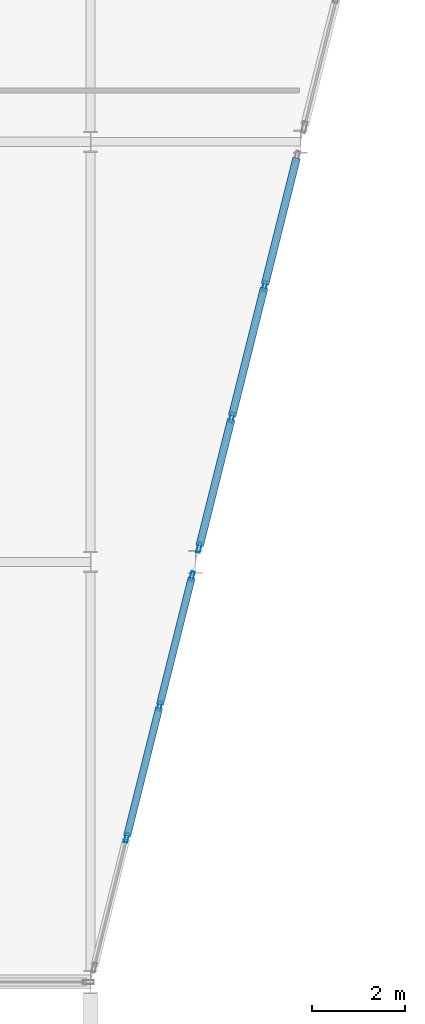
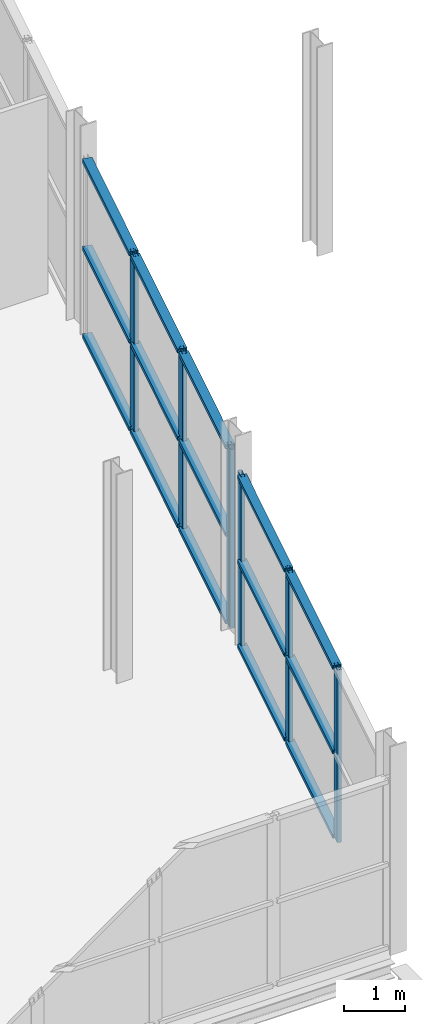
# One storey, part 53 of 140: 21 members, 2 elements without a shape of their own.
"""IFC4 building model written with IfcOpenShell, lengths in metres."""

from ifc_helpers import new_model, si_unit, direction, frame, origin, origin_2d, place, context, subcontext, project, spatial, hollow_rectangle, extrude, material, layer, layer_set, material_profile, profile_set, type_object, element, aggregate, save


model = new_model("IFC4")

# Units and contexts
model_context = context("Model", 3, precision=1e-05, world=origin(), true_north=direction((0.0, 1.0)))
body_context = subcontext(model_context, "Body", "Model", "MODEL_VIEW")
ifc_project = project(units=[si_unit("LENGTHUNIT", "METRE"), si_unit("AREAUNIT", "SQUARE_METRE"), si_unit("VOLUMEUNIT", "CUBIC_METRE"), si_unit("PLANEANGLEUNIT", "RADIAN"), si_unit("MASSUNIT", "GRAM", prefix="KILO")], contexts=[model_context])

# Site, building, storey
site_placement = place(None, origin())
site = spatial("IfcSite", under=ifc_project, at=site_placement, CompositionType="ELEMENT")
building_placement = place(site_placement, origin())
building = spatial("IfcBuilding", under=site, at=building_placement, Name="Deido Ridge Mobility Hub", CompositionType="ELEMENT")
storey_placement = place(building_placement, origin())
storey = spatial("IfcBuildingStorey", under=building, at=storey_placement, Name="L00", CompositionType="ELEMENT", Elevation=0.0)

# Curtain wall, members
ifc_material = material(Name="Anodised aluminium EN AW-6063 T6", Category="aluminium")
ifc_layer_1 = layer(ifc_material, 0.22509765625, Name="Anodised aluminium EN AW-6063 T6")
ifc_layer_set_1 = layer_set([ifc_layer_1], Name="Anodised aluminium EN AW-6063 T6")
curtain_wall_type_1 = type_object("IfcCurtainWallType", Name="CW-UF-5", PredefinedType="USERDEFINED", material=ifc_layer_set_1)
curtain_wall_1_placement = place(storey_placement, origin())
curtain_wall_1 = element("IfcCurtainWall", 1, at=curtain_wall_1_placement, inside=storey, type_object=curtain_wall_type_1, Name="Unitised curtain wall CW5", ObjectType="UNITISED FACADE", PredefinedType="USERDEFINED")
ifc_material_profile_1 = material_profile(ifc_material, hollow_rectangle(XDim=0.074951171875, YDim=0.205078125, WallThickness=0.00390625, at=origin_2d()), Name="RHS 75x205x4")
ifc_profile_set_1 = profile_set([ifc_material_profile_1], Name="Anodised aluminium EN AW-6063 T6")
member_type_1 = type_object("IfcMemberType", Name="MEM-MUL-75X205", PredefinedType="MULLION", material=ifc_profile_set_1)
member_1_placement = place(storey_placement, frame((45.7724609375, 48.090087890625, 0.0), z_axis=(0.0, 0.0, 1.0), x_axis=(-0.970139801497, 0.242546419373, 0.0)))
member_1 = element("IfcMember", 2, at=member_1_placement, type_object=member_type_1, Name="CW5 mullion 2", PredefinedType="MULLION", context=body_context, shape_type="SweptSolid", body=[
    extrude(hollow_rectangle(XDim=0.074951171875, YDim=0.205078125, WallThickness=0.00390625, at=origin_2d()), origin(), (0.0, 0.0, 1.0), 3.47509765625),
])
member_2_placement = place(storey_placement, frame((46.4775390625, 50.909912109375, 0.0), z_axis=(0.0, 0.0, 1.0), x_axis=(-0.970139801497, 0.242546419373, 0.0)))
member_2 = element("IfcMember", 3, at=member_2_placement, type_object=member_type_1, Name="CW5 mullion 3", PredefinedType="MULLION", context=body_context, shape_type="SweptSolid", body=[
    extrude(hollow_rectangle(XDim=0.074951171875, YDim=0.205078125, WallThickness=0.00390625, at=origin_2d()), origin(), (0.0, 0.0, 1.0), 3.47509765625),
])
member_3_placement = place(storey_placement, frame((47.17333984375, 53.693115234375, 0.0), z_axis=(0.0, 0.0, 1.0), x_axis=(-0.970139801497, 0.242546419373, 0.0)))
member_3 = element("IfcMember", 4, at=member_3_placement, type_object=member_type_1, Name="CW5 mullion 4", PredefinedType="MULLION", context=body_context, shape_type="SweptSolid", body=[
    extrude(hollow_rectangle(XDim=0.074951171875, YDim=0.205078125, WallThickness=0.00390625, at=origin_2d()), origin(), (0.0, 0.0, 1.0), 3.47509765625),
])

ifc_layer_2 = layer(ifc_material, 0.239990234375, Name="Anodised aluminium EN AW-6063 T6")
ifc_layer_set_2 = layer_set([ifc_layer_2], Name="Anodised aluminium EN AW-6063 T6")
curtain_wall_type_2 = type_object("IfcCurtainWallType", Name="CW-UF-6", PredefinedType="USERDEFINED", material=ifc_layer_set_2)
curtain_wall_2_placement = place(storey_placement, origin())
curtain_wall_2 = element("IfcCurtainWall", 5, at=curtain_wall_2_placement, inside=storey, type_object=curtain_wall_type_2, Name="Unitised curtain wall CW6", ObjectType="UNITISED FACADE", PredefinedType="USERDEFINED")
ifc_material_profile_2 = material_profile(ifc_material, hollow_rectangle(XDim=0.080078125, YDim=0.219970703125, WallThickness=0.00390625, at=origin_2d()), Name="RHS 80x220x4")
ifc_profile_set_2 = profile_set([ifc_material_profile_2], Name="Anodised aluminium EN AW-6063 T6")
member_type_2 = type_object("IfcMemberType", Name="MEM-MUL-80X220", PredefinedType="MULLION", material=ifc_profile_set_2)
member_4_placement = place(storey_placement, frame((47.327392578125, 54.309326171875, 0.0), z_axis=(0.0, 0.0, 1.0), x_axis=(-0.970139801497, 0.242546419373, 0.0)))
member_4 = element("IfcMember", 6, at=member_4_placement, type_object=member_type_2, Name="CW6 mullion 1", PredefinedType="MULLION", context=body_context, shape_type="SweptSolid", body=[
    extrude(hollow_rectangle(XDim=0.080078125, YDim=0.219970703125, WallThickness=0.00390625, at=origin_2d()), origin(), (0.0, 0.0, 1.0), 3.60009765625),
])
member_5_placement = place(storey_placement, frame((48.0224609375, 57.090087890625, 0.0), z_axis=(0.0, 0.0, 1.0), x_axis=(-0.970139801497, 0.242546419373, 0.0)))
member_5 = element("IfcMember", 7, at=member_5_placement, type_object=member_type_2, Name="CW6 mullion 2", PredefinedType="MULLION", context=body_context, shape_type="SweptSolid", body=[
    extrude(hollow_rectangle(XDim=0.080078125, YDim=0.219970703125, WallThickness=0.00390625, at=origin_2d()), origin(), (0.0, 0.0, 1.0), 3.60009765625),
])
member_6_placement = place(storey_placement, frame((48.7275390625, 59.909912109375, 0.0), z_axis=(0.0, 0.0, 1.0), x_axis=(-0.970139801497, 0.242546419373, 0.0)))
member_6 = element("IfcMember", 8, at=member_6_placement, type_object=member_type_2, Name="CW6 mullion 3", PredefinedType="MULLION", context=body_context, shape_type="SweptSolid", body=[
    extrude(hollow_rectangle(XDim=0.080078125, YDim=0.219970703125, WallThickness=0.00390625, at=origin_2d()), origin(), (0.0, 0.0, 1.0), 3.60009765625),
])

# Member
ifc_material_profile_3 = material_profile(ifc_material, hollow_rectangle(XDim=0.155029296875, YDim=0.074951171875, WallThickness=0.00390625, at=origin_2d()), Name="RHS 155x75x4")
ifc_profile_set_3 = profile_set([ifc_material_profile_3], Name="Anodised aluminium EN AW-6063 T6")
member_type_3 = type_object("IfcMemberType", Name="MEM-TRN-155X75", PredefinedType="USERDEFINED", material=ifc_profile_set_3)
member_7_placement = place(storey_placement, frame((45.78173828125, 48.12646484375, 0.03759765625), z_axis=(0.242454474669, 0.970162784131, 0.0), x_axis=(-0.970162784131, 0.242454474669, 0.0)))
member_7 = element("IfcMember", 9, at=member_7_placement, type_object=member_type_3, Name="CW5 transom 2.1", ObjectType="TRANSOM", PredefinedType="USERDEFINED", context=body_context, shape_type="SweptSolid", body=[
    extrude(hollow_rectangle(XDim=0.155029296875, YDim=0.074951171875, WallThickness=0.00390625, at=origin_2d()), origin(), (0.0, 0.0, 1.0), 2.83154296875),
])

member_8_placement = place(storey_placement, frame((45.78173828125, 48.12646484375, 1.737548828125), z_axis=(0.242454474669, 0.970162784131, 0.0), x_axis=(-0.970162784131, 0.242454474669, 0.0)))
member_8 = element("IfcMember", 10, at=member_8_placement, type_object=member_type_3, Name="CW5 transom 2.2", ObjectType="TRANSOM", PredefinedType="USERDEFINED", context=body_context, shape_type="SweptSolid", body=[
    extrude(hollow_rectangle(XDim=0.155029296875, YDim=0.074951171875, WallThickness=0.00390625, at=origin_2d()), origin(), (0.0, 0.0, 1.0), 2.83154296875),
])

member_9_placement = place(storey_placement, frame((45.78173828125, 48.12646484375, 3.4375), z_axis=(0.242454474669, 0.970162784131, 0.0), x_axis=(-0.970162784131, 0.242454474669, 0.0)))
member_9 = element("IfcMember", 11, at=member_9_placement, type_object=member_type_3, Name="CW5 transom 2.3", ObjectType="TRANSOM", PredefinedType="USERDEFINED", context=body_context, shape_type="SweptSolid", body=[
    extrude(hollow_rectangle(XDim=0.155029296875, YDim=0.074951171875, WallThickness=0.00390625, at=origin_2d()), origin(), (0.0, 0.0, 1.0), 2.83154296875),
])

member_10_placement = place(storey_placement, frame((46.486572265625, 50.9462890625, 0.03759765625), z_axis=(0.242576746491, 0.970132218856, 0.0), x_axis=(-0.970132218856, 0.242576746491, 0.0)))
member_10 = element("IfcMember", 12, at=member_10_placement, type_object=member_type_3, Name="CW5 transom 3.1", ObjectType="TRANSOM", PredefinedType="USERDEFINED", context=body_context, shape_type="SweptSolid", body=[
    extrude(hollow_rectangle(XDim=0.155029296875, YDim=0.074951171875, WallThickness=0.00390625, at=origin_2d()), origin(), (0.0, 0.0, 1.0), 2.7939453125),
])

member_11_placement = place(storey_placement, frame((46.486572265625, 50.9462890625, 1.737548828125), z_axis=(0.242576746491, 0.970132218856, 0.0), x_axis=(-0.970132218856, 0.242576746491, 0.0)))
member_11 = element("IfcMember", 13, at=member_11_placement, type_object=member_type_3, Name="CW5 transom 3.2", ObjectType="TRANSOM", PredefinedType="USERDEFINED", context=body_context, shape_type="SweptSolid", body=[
    extrude(hollow_rectangle(XDim=0.155029296875, YDim=0.074951171875, WallThickness=0.00390625, at=origin_2d()), origin(), (0.0, 0.0, 1.0), 2.7939453125),
])

member_12_placement = place(storey_placement, frame((46.486572265625, 50.9462890625, 3.4375), z_axis=(0.242576746491, 0.970132218856, 0.0), x_axis=(-0.970132218856, 0.242576746491, 0.0)))
member_12 = element("IfcMember", 14, at=member_12_placement, type_object=member_type_3, Name="CW5 transom 3.3", ObjectType="TRANSOM", PredefinedType="USERDEFINED", context=body_context, shape_type="SweptSolid", body=[
    extrude(hollow_rectangle(XDim=0.155029296875, YDim=0.074951171875, WallThickness=0.00390625, at=origin_2d()), origin(), (0.0, 0.0, 1.0), 2.7939453125),
])

aggregate(curtain_wall_1, [member_1, member_2, member_3, member_7, member_8, member_9, member_10, member_11, member_12])

ifc_material_profile_4 = material_profile(ifc_material, hollow_rectangle(XDim=0.1650390625, YDim=0.080078125, WallThickness=0.00390625, at=origin_2d()), Name="RHS 165x80x4")
ifc_profile_set_4 = profile_set([ifc_material_profile_4], Name="Anodised aluminium EN AW-6063 T6")
member_type_4 = type_object("IfcMemberType", Name="MEM-TRN-165X80", PredefinedType="USERDEFINED", material=ifc_profile_set_4)
member_13_placement = place(storey_placement, frame((47.3369140625, 54.34814453125, 0.0400390625), z_axis=(0.242597468268, 0.970127037243, 0.0), x_axis=(-0.970127037243, 0.242597468268, 0.0)))
member_13 = element("IfcMember", 15, at=member_13_placement, type_object=member_type_4, Name="CW6 transom 1.1", ObjectType="TRANSOM", PredefinedType="USERDEFINED", context=body_context, shape_type="SweptSolid", body=[
    extrude(hollow_rectangle(XDim=0.1650390625, YDim=0.080078125, WallThickness=0.00390625, at=origin_2d()), origin(), (0.0, 0.0, 1.0), 2.78662109375),
])

member_14_placement = place(storey_placement, frame((47.3369140625, 54.34814453125, 1.800048828125), z_axis=(0.242597468268, 0.970127037243, 0.0), x_axis=(-0.970127037243, 0.242597468268, 0.0)))
member_14 = element("IfcMember", 16, at=member_14_placement, type_object=member_type_4, Name="CW6 transom 1.2", ObjectType="TRANSOM", PredefinedType="USERDEFINED", context=body_context, shape_type="SweptSolid", body=[
    extrude(hollow_rectangle(XDim=0.1650390625, YDim=0.080078125, WallThickness=0.00390625, at=origin_2d()), origin(), (0.0, 0.0, 1.0), 2.78662109375),
])

member_15_placement = place(storey_placement, frame((47.3369140625, 54.34814453125, 3.56005859375), z_axis=(0.242597468268, 0.970127037243, 0.0), x_axis=(-0.970127037243, 0.242597468268, 0.0)))
member_15 = element("IfcMember", 17, at=member_15_placement, type_object=member_type_4, Name="CW6 transom 1.3", ObjectType="TRANSOM", PredefinedType="USERDEFINED", context=body_context, shape_type="SweptSolid", body=[
    extrude(hollow_rectangle(XDim=0.1650390625, YDim=0.080078125, WallThickness=0.00390625, at=origin_2d()), origin(), (0.0, 0.0, 1.0), 2.78662109375),
])

member_16_placement = place(storey_placement, frame((48.0322265625, 57.12890625, 0.0400390625), z_axis=(0.242535625036, 0.970142500145, 0.0), x_axis=(-0.970142500145, 0.242535625036, 0.0)))
member_16 = element("IfcMember", 18, at=member_16_placement, type_object=member_type_4, Name="CW6 transom 2.1", ObjectType="TRANSOM", PredefinedType="USERDEFINED", context=body_context, shape_type="SweptSolid", body=[
    extrude(hollow_rectangle(XDim=0.1650390625, YDim=0.080078125, WallThickness=0.00390625, at=origin_2d()), origin(), (0.0, 0.0, 1.0), 2.82666015625),
])

member_17_placement = place(storey_placement, frame((48.0322265625, 57.12890625, 1.800048828125), z_axis=(0.242535625036, 0.970142500145, 0.0), x_axis=(-0.970142500145, 0.242535625036, 0.0)))
member_17 = element("IfcMember", 19, at=member_17_placement, type_object=member_type_4, Name="CW6 transom 2.2", ObjectType="TRANSOM", PredefinedType="USERDEFINED", context=body_context, shape_type="SweptSolid", body=[
    extrude(hollow_rectangle(XDim=0.1650390625, YDim=0.080078125, WallThickness=0.00390625, at=origin_2d()), origin(), (0.0, 0.0, 1.0), 2.82666015625),
])

member_18_placement = place(storey_placement, frame((48.0322265625, 57.12890625, 3.56005859375), z_axis=(0.242535625036, 0.970142500145, 0.0), x_axis=(-0.970142500145, 0.242535625036, 0.0)))
member_18 = element("IfcMember", 20, at=member_18_placement, type_object=member_type_4, Name="CW6 transom 2.3", ObjectType="TRANSOM", PredefinedType="USERDEFINED", context=body_context, shape_type="SweptSolid", body=[
    extrude(hollow_rectangle(XDim=0.1650390625, YDim=0.080078125, WallThickness=0.00390625, at=origin_2d()), origin(), (0.0, 0.0, 1.0), 2.82666015625),
])

member_19_placement = place(storey_placement, frame((48.737060546875, 59.948486328125, 0.0400390625), z_axis=(0.242597468268, 0.970127037243, 0.0), x_axis=(-0.970127037243, 0.242597468268, 0.0)))
member_19 = element("IfcMember", 21, at=member_19_placement, type_object=member_type_4, Name="CW6 transom 3.1", ObjectType="TRANSOM", PredefinedType="USERDEFINED", context=body_context, shape_type="SweptSolid", body=[
    extrude(hollow_rectangle(XDim=0.1650390625, YDim=0.080078125, WallThickness=0.00390625, at=origin_2d()), origin(), (0.0, 0.0, 1.0), 2.78662109375),
])

member_20_placement = place(storey_placement, frame((48.737060546875, 59.948486328125, 1.800048828125), z_axis=(0.242597468268, 0.970127037243, 0.0), x_axis=(-0.970127037243, 0.242597468268, 0.0)))
member_20 = element("IfcMember", 22, at=member_20_placement, type_object=member_type_4, Name="CW6 transom 3.2", ObjectType="TRANSOM", PredefinedType="USERDEFINED", context=body_context, shape_type="SweptSolid", body=[
    extrude(hollow_rectangle(XDim=0.1650390625, YDim=0.080078125, WallThickness=0.00390625, at=origin_2d()), origin(), (0.0, 0.0, 1.0), 2.78662109375),
])

member_21_placement = place(storey_placement, frame((48.737060546875, 59.948486328125, 3.56005859375), z_axis=(0.242597468268, 0.970127037243, 0.0), x_axis=(-0.970127037243, 0.242597468268, 0.0)))
member_21 = element("IfcMember", 23, at=member_21_placement, type_object=member_type_4, Name="CW6 transom 3.3", ObjectType="TRANSOM", PredefinedType="USERDEFINED", context=body_context, shape_type="SweptSolid", body=[
    extrude(hollow_rectangle(XDim=0.1650390625, YDim=0.080078125, WallThickness=0.00390625, at=origin_2d()), origin(), (0.0, 0.0, 1.0), 2.78662109375),
])

aggregate(curtain_wall_2, [member_4, member_5, member_6, member_13, member_14, member_15, member_16, member_17, member_18, member_19, member_20, member_21])

save(model, "model.ifc")
